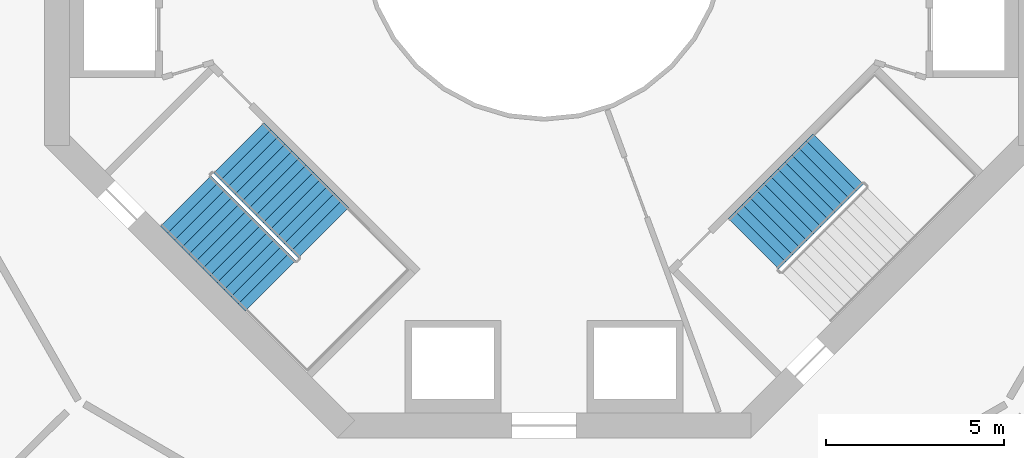
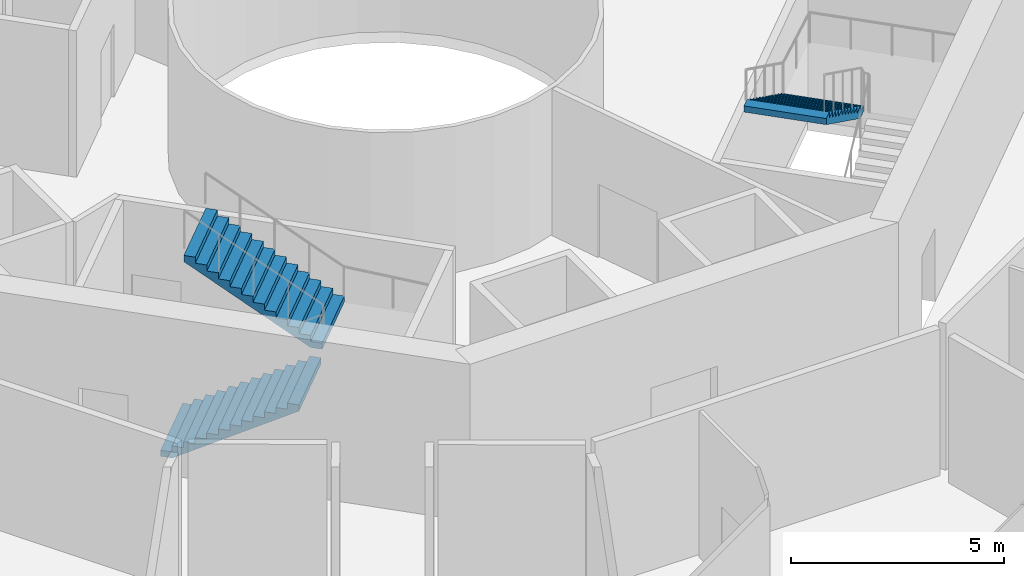
# One storey, part 14 of 16: 3 stair flights, 2 elements without a shape of their own.
"""IFC4 building model written with IfcOpenShell, lengths in metres."""

from ifc_helpers import new_model, si_unit, direction, frame, origin, place, context, subcontext, project, spatial, triangles, material, type_object, element, aggregate, save


model = new_model("IFC4")

# Units and contexts
model_context = context("Model", 3, precision=1e-05, world=origin(), true_north=direction((0.0, 1.0)))
body_context = subcontext(model_context, "Body", "Model", "MODEL_VIEW")
ifc_project = project(units=[si_unit("LENGTHUNIT", "METRE"), si_unit("AREAUNIT", "SQUARE_METRE"), si_unit("VOLUMEUNIT", "CUBIC_METRE"), si_unit("PLANEANGLEUNIT", "RADIAN"), si_unit("MASSUNIT", "GRAM", prefix="KILO")], contexts=[model_context])

# Site, building, storey
site_placement = place(None, origin())
site = spatial("IfcSite", under=ifc_project, at=site_placement, CompositionType="ELEMENT")
building_placement = place(site_placement, origin())
building = spatial("IfcBuilding", under=site, at=building_placement, Name="Verdalira Terraces Hotel", CompositionType="ELEMENT")
storey_placement = place(building_placement, frame((0.0, 0.0, 154.0)))
storey = spatial("IfcBuildingStorey", under=building, at=storey_placement, Name="L37", CompositionType="ELEMENT", Elevation=154.0)

# Stair, stair flights
ifc_material_1 = material(Name="Concrete C40", Category="concrete")
stair_type = type_object("IfcStairType", Name="Core stair 26 risers 2000 mm wide", PredefinedType="HALF_TURN_STAIR", material=ifc_material_1)
stair_1_placement = place(storey_placement, origin())
stair_1 = element("IfcStair", 1, at=stair_1_placement, inside=storey, type_object=stair_type, Name="L37 Exit stair ST2", PredefinedType="HALF_TURN_STAIR")
ifc_material_2 = material(Name="Concrete C40", Category="concrete")
stair_flight_type = type_object("IfcStairFlightType", Name="Core stair flight 26 risers 2000 mm wide", PredefinedType="STRAIGHT", material=ifc_material_2)
stair_flight_1_placement = place(storey_placement, frame((-10.041016, -7.354004, 0.0), z_axis=(0.0, 0.0, 1.0), x_axis=(0.707106781, -0.707106781, 0.0)))
stair_flight_1 = element("IfcStairFlight", 2, at=stair_flight_1_placement, type_object=stair_flight_type, Name="ST2 flight 1", NumberOfRisers=13, NumberOfTreads=12, PredefinedType="STRAIGHT", RiserHeight=0.173076923, TreadLength=0.28, context=body_context, shape_type="Tessellation", body=[
    triangles([(0.0, 1.0, 0.0), (0.285156, 1.0, 0.0), (3.360107, 1.0, 1.900635), (0.0, -1.0, 0.0), (0.285156, -1.0, 0.0), (3.360107, -1.0, 1.900635), (3.360107, 1.0, 2.076904), (3.080078, 1.0, 2.076904), (3.360107, -1.0, 2.076904), (3.080078, -1.0, 2.076904), (3.080078, 1.0, 1.903809), (3.080078, -1.0, 1.903809), (2.800049, 1.0, 1.903809), (2.800049, -1.0, 1.903809), (2.800049, 1.0, 1.730713), (2.800049, -1.0, 1.730713), (2.52002, 1.0, 1.730713), (2.52002, 1.0, 1.557617), (2.52002, -1.0, 1.730713), (2.52002, -1.0, 1.557617), (2.23999, 1.0, 1.557617), (2.23999, 1.0, 1.384521), (2.23999, -1.0, 1.557617), (2.23999, -1.0, 1.384521), (1.959961, 1.0, 1.384521), (1.959961, 1.0, 1.211426), (1.959961, -1.0, 1.384521), (1.959961, -1.0, 1.211426), (1.679932, 1.0, 1.211426), (1.679932, 1.0, 1.038574), (1.679932, -1.0, 1.211426), (1.679932, -1.0, 1.038574), (1.399902, 1.0, 1.038574), (1.399902, 1.0, 0.865479), (1.399902, -1.0, 1.038574), (1.399902, -1.0, 0.865479), (1.120117, 1.0, 0.865479), (1.120117, 1.0, 0.692383), (1.120117, -1.0, 0.865479), (1.120117, -1.0, 0.692383), (0.840088, 1.0, 0.692383), (0.840088, 1.0, 0.519287), (0.840088, -1.0, 0.692383), (0.840088, -1.0, 0.519287), (0.560059, 1.0, 0.519287), (0.560059, 1.0, 0.346191), (0.560059, -1.0, 0.519287), (0.560059, -1.0, 0.346191), (0.280029, 1.0, 0.346191), (0.280029, 1.0, 0.173096), (0.280029, -1.0, 0.346191), (0.280029, -1.0, 0.173096), (0.0, 1.0, 0.173096), (0.0, -1.0, 0.173096), (0.0, -0.9375, 0.0), (0.0, -0.9375, 0.173096), (0.0, -0.875, 0.0), (0.0, -0.875, 0.173096), (0.0, -0.8125, 0.0), (0.0, -0.8125, 0.173096), (0.0, -0.75, 0.0), (0.0, -0.75, 0.173096), (0.0, -0.6875, 0.0), (0.0, -0.6875, 0.173096), (0.0, -0.625, 0.0), (0.0, -0.625, 0.173096), (0.0, -0.5625, 0.0), (0.0, -0.5625, 0.173096), (0.0, -0.5, 0.0), (0.0, -0.5, 0.173096), (0.0, -0.4375, 0.0), (0.0, -0.4375, 0.173096), (0.0, -0.375, 0.0), (0.0, -0.375, 0.173096), (0.0, -0.3125, 0.0), (0.0, -0.3125, 0.173096), (0.0, -0.25, 0.0), (0.0, -0.25, 0.173096), (0.0, -0.1875, 0.0), (0.0, -0.1875, 0.173096), (0.0, -0.125, 0.0), (0.0, -0.125, 0.173096), (0.0, -0.0625, 0.0), (0.0, -0.0625, 0.173096), (0.0, 0.0, 0.0), (0.0, 0.0, 0.173096), (0.0, 0.0625, 0.0), (0.0, 0.0625, 0.173096), (0.0, 0.125, 0.0), (0.0, 0.125, 0.173096), (0.0, 0.1875, 0.0), (0.0, 0.1875, 0.173096), (0.0, 0.25, 0.0), (0.0, 0.25, 0.173096), (0.0, 0.3125, 0.0), (0.0, 0.3125, 0.173096), (0.0, 0.375, 0.0), (0.0, 0.375, 0.173096), (0.0, 0.4375, 0.0), (0.0, 0.4375, 0.173096), (0.0, 0.5, 0.0), (0.0, 0.5, 0.173096), (0.0, 0.5625, 0.0), (0.0, 0.5625, 0.173096), (0.0, 0.625, 0.0), (0.0, 0.625, 0.173096), (0.0, 0.6875, 0.0), (0.0, 0.6875, 0.173096), (0.0, 0.75, 0.0), (0.0, 0.75, 0.173096), (0.0, 0.8125, 0.0), (0.0, 0.8125, 0.173096), (0.0, 0.875, 0.0), (0.0, 0.875, 0.173096), (0.0, 0.9375, 0.0), (0.0, 0.9375, 0.173096), (3.360107, -0.9375, 2.076904), (3.360107, -0.875, 2.076904), (3.360107, -0.8125, 2.076904), (3.360107, -0.75, 2.076904), (3.360107, -0.6875, 2.076904), (3.360107, -0.625, 2.076904), (3.360107, -0.5625, 2.076904), (3.360107, -0.5, 2.076904), (3.360107, -0.4375, 2.076904), (3.360107, -0.375, 2.076904), (3.360107, -0.3125, 2.076904), (3.360107, -0.25, 2.076904), (3.360107, -0.1875, 2.076904), (3.360107, -0.125, 2.076904), (3.360107, -0.0625, 2.076904), (3.360107, 0.0, 2.076904), (3.360107, 0.0625, 2.076904), (3.360107, 0.125, 2.076904), (3.360107, 0.1875, 2.076904), (3.360107, 0.25, 2.076904), (3.360107, 0.3125, 2.076904), (3.360107, 0.375, 2.076904), (3.360107, 0.4375, 2.076904), (3.360107, 0.5, 2.076904), (3.360107, 0.5625, 2.076904), (3.360107, 0.625, 2.076904), (3.360107, 0.6875, 2.076904), (3.360107, 0.75, 2.076904), (3.360107, 0.8125, 2.076904), (3.360107, 0.875, 2.076904), (3.360107, 0.9375, 2.076904), (3.360107, -0.9375, 1.900635), (3.360107, -0.875, 1.900635), (3.360107, -0.8125, 1.900635), (3.360107, -0.75, 1.900635), (3.360107, -0.6875, 1.900635), (3.360107, -0.625, 1.900635), (3.360107, -0.5625, 1.900635), (3.360107, -0.5, 1.900635), (3.360107, -0.4375, 1.900635), (3.360107, -0.375, 1.900635), (3.360107, -0.3125, 1.900635), (3.360107, -0.25, 1.900635), (3.360107, -0.1875, 1.900635), (3.360107, -0.125, 1.900635), (3.360107, -0.0625, 1.900635), (3.360107, 0.0, 1.900635), (3.360107, 0.0625, 1.900635), (3.360107, 0.125, 1.900635), (3.360107, 0.1875, 1.900635), (3.360107, 0.25, 1.900635), (3.360107, 0.3125, 1.900635), (3.360107, 0.375, 1.900635), (3.360107, 0.4375, 1.900635), (3.360107, 0.5, 1.900635), (3.360107, 0.5625, 1.900635), (3.360107, 0.625, 1.900635), (3.360107, 0.6875, 1.900635), (3.360107, 0.75, 1.900635), (3.360107, 0.8125, 1.900635), (3.360107, 0.875, 1.900635), (3.360107, 0.9375, 1.900635)], [[1, 3, 2], [4, 5, 6], [3, 8, 7], [6, 9, 10], [3, 11, 8], [6, 10, 12], [3, 13, 11], [6, 12, 14], [3, 15, 13], [6, 14, 16], [15, 18, 17], [16, 19, 20], [3, 18, 15], [6, 16, 20], [18, 22, 21], [20, 23, 24], [3, 22, 18], [6, 20, 24], [22, 26, 25], [24, 27, 28], [3, 26, 22], [6, 24, 28], [1, 26, 3], [4, 6, 28], [26, 30, 29], [28, 31, 32], [30, 34, 33], [32, 35, 36], [26, 34, 30], [28, 32, 36], [34, 38, 37], [36, 39, 40], [26, 38, 34], [28, 36, 40], [38, 42, 41], [40, 43, 44], [26, 42, 38], [28, 40, 44], [42, 46, 45], [44, 47, 48], [26, 46, 42], [28, 44, 48], [46, 50, 49], [48, 51, 52], [26, 50, 46], [28, 48, 52], [1, 50, 26], [4, 28, 52], [50, 1, 53], [52, 54, 4], [4, 56, 55], [4, 54, 56], [55, 58, 57], [55, 56, 58], [57, 60, 59], [57, 58, 60], [59, 62, 61], [59, 60, 62], [61, 64, 63], [61, 62, 64], [63, 66, 65], [63, 64, 66], [65, 68, 67], [65, 66, 68], [67, 70, 69], [67, 68, 70], [69, 72, 71], [69, 70, 72], [71, 74, 73], [71, 72, 74], [73, 76, 75], [73, 74, 76], [75, 78, 77], [75, 76, 78], [77, 80, 79], [77, 78, 80], [79, 82, 81], [79, 80, 82], [81, 84, 83], [81, 82, 84], [83, 86, 85], [83, 84, 86], [85, 88, 87], [85, 86, 88], [87, 90, 89], [87, 88, 90], [89, 92, 91], [89, 90, 92], [91, 94, 93], [91, 92, 94], [93, 96, 95], [93, 94, 96], [95, 98, 97], [95, 96, 98], [97, 100, 99], [97, 98, 100], [99, 102, 101], [99, 100, 102], [101, 104, 103], [101, 102, 104], [103, 106, 105], [103, 104, 106], [105, 108, 107], [105, 106, 108], [107, 110, 109], [107, 108, 110], [109, 112, 111], [109, 110, 112], [111, 114, 113], [111, 112, 114], [113, 116, 115], [113, 114, 116], [115, 53, 1], [115, 116, 53], [54, 52, 56], [56, 52, 58], [58, 52, 60], [60, 52, 62], [62, 52, 64], [64, 52, 66], [66, 52, 68], [68, 52, 70], [70, 52, 72], [72, 52, 74], [74, 52, 76], [76, 52, 78], [78, 52, 80], [80, 52, 82], [82, 52, 84], [84, 52, 86], [86, 52, 88], [88, 52, 90], [90, 52, 92], [92, 52, 94], [94, 52, 96], [96, 52, 98], [98, 52, 100], [100, 52, 102], [102, 52, 104], [104, 52, 106], [106, 52, 108], [108, 52, 110], [110, 52, 112], [112, 52, 114], [114, 52, 116], [116, 52, 53], [53, 52, 50], [52, 49, 50], [52, 51, 49], [51, 46, 49], [51, 48, 46], [48, 45, 46], [48, 47, 45], [47, 42, 45], [47, 44, 42], [44, 41, 42], [44, 43, 41], [43, 38, 41], [43, 40, 38], [40, 37, 38], [40, 39, 37], [39, 34, 37], [39, 36, 34], [36, 33, 34], [36, 35, 33], [35, 30, 33], [35, 32, 30], [32, 29, 30], [32, 31, 29], [31, 26, 29], [31, 28, 26], [28, 25, 26], [28, 27, 25], [27, 22, 25], [27, 24, 22], [24, 21, 22], [24, 23, 21], [23, 18, 21], [23, 20, 18], [20, 17, 18], [20, 19, 17], [19, 15, 17], [19, 16, 15], [16, 13, 15], [16, 14, 13], [14, 11, 13], [14, 12, 11], [12, 8, 11], [12, 10, 8], [9, 117, 10], [117, 118, 10], [118, 119, 10], [119, 120, 10], [120, 121, 10], [121, 122, 10], [122, 123, 10], [123, 124, 10], [124, 125, 10], [125, 126, 10], [126, 127, 10], [127, 128, 10], [128, 129, 10], [129, 130, 10], [130, 131, 10], [131, 132, 10], [132, 133, 10], [133, 134, 10], [134, 135, 10], [135, 136, 10], [136, 137, 10], [137, 138, 10], [138, 139, 10], [139, 140, 10], [140, 141, 10], [141, 142, 10], [142, 143, 10], [143, 144, 10], [144, 145, 10], [145, 146, 10], [146, 147, 10], [147, 7, 10], [7, 8, 10], [9, 148, 117], [9, 6, 148], [117, 149, 118], [117, 148, 149], [118, 150, 119], [118, 149, 150], [119, 151, 120], [119, 150, 151], [120, 152, 121], [120, 151, 152], [121, 153, 122], [121, 152, 153], [122, 154, 123], [122, 153, 154], [123, 155, 124], [123, 154, 155], [124, 156, 125], [124, 155, 156], [125, 157, 126], [125, 156, 157], [126, 158, 127], [126, 157, 158], [127, 159, 128], [127, 158, 159], [128, 160, 129], [128, 159, 160], [129, 161, 130], [129, 160, 161], [130, 162, 131], [130, 161, 162], [131, 163, 132], [131, 162, 163], [132, 164, 133], [132, 163, 164], [133, 165, 134], [133, 164, 165], [134, 166, 135], [134, 165, 166], [135, 167, 136], [135, 166, 167], [136, 168, 137], [136, 167, 168], [137, 169, 138], [137, 168, 169], [138, 170, 139], [138, 169, 170], [139, 171, 140], [139, 170, 171], [140, 172, 141], [140, 171, 172], [141, 173, 142], [141, 172, 173], [142, 174, 143], [142, 173, 174], [143, 175, 144], [143, 174, 175], [144, 176, 145], [144, 175, 176], [145, 177, 146], [145, 176, 177], [146, 178, 147], [146, 177, 178], [147, 3, 7], [147, 178, 3], [6, 5, 148], [148, 5, 149], [149, 5, 150], [150, 5, 151], [151, 5, 152], [152, 5, 153], [153, 5, 154], [154, 5, 155], [155, 5, 156], [156, 5, 157], [157, 5, 158], [158, 5, 159], [159, 5, 160], [160, 5, 161], [161, 5, 162], [162, 5, 163], [163, 5, 164], [164, 5, 165], [165, 5, 166], [166, 5, 167], [167, 5, 168], [168, 5, 169], [169, 5, 170], [170, 5, 171], [171, 5, 172], [172, 5, 173], [173, 5, 174], [174, 5, 175], [175, 5, 176], [176, 5, 177], [177, 5, 178], [178, 5, 3], [3, 5, 2], [4, 55, 5], [55, 57, 5], [57, 59, 5], [59, 61, 5], [61, 63, 5], [63, 65, 5], [65, 67, 5], [67, 69, 5], [69, 71, 5], [71, 73, 5], [73, 75, 5], [75, 77, 5], [77, 79, 5], [79, 81, 5], [81, 83, 5], [83, 85, 5], [85, 87, 5], [87, 89, 5], [89, 91, 5], [91, 93, 5], [93, 95, 5], [95, 97, 5], [97, 99, 5], [99, 101, 5], [101, 103, 5], [103, 105, 5], [105, 107, 5], [107, 109, 5], [109, 111, 5], [111, 113, 5], [113, 115, 5], [115, 1, 5], [1, 2, 5]], closed=True),
])
stair_flight_2_placement = place(storey_placement, frame((-6.180176, -8.244873, 2.25), z_axis=(0.0, 0.0, 1.0), x_axis=(-0.707106781, 0.707106781, 0.0)))
stair_flight_2 = element("IfcStairFlight", 3, at=stair_flight_2_placement, type_object=stair_flight_type, Name="ST2 flight 2", NumberOfRisers=13, NumberOfTreads=12, PredefinedType="STRAIGHT", RiserHeight=0.173076923, TreadLength=0.28, context=body_context, shape_type="Tessellation", body=[
    triangles([(0.0, 1.0, 0.0), (0.285156, 1.0, 0.0), (3.360107, 1.0, 1.900635), (0.0, -1.0, 0.0), (0.285156, -1.0, 0.0), (3.360107, -1.0, 1.900635), (3.360107, 1.0, 2.076904), (3.080078, 1.0, 2.076904), (3.360107, -1.0, 2.076904), (3.080078, -1.0, 2.076904), (3.080078, 1.0, 1.903809), (3.080078, -1.0, 1.903809), (2.800049, 1.0, 1.903809), (2.800049, -1.0, 1.903809), (2.800049, 1.0, 1.730713), (2.800049, -1.0, 1.730713), (2.52002, 1.0, 1.730713), (2.52002, 1.0, 1.557617), (2.52002, -1.0, 1.730713), (2.52002, -1.0, 1.557617), (2.23999, 1.0, 1.557617), (2.23999, 1.0, 1.384521), (2.23999, -1.0, 1.557617), (2.23999, -1.0, 1.384521), (1.959961, 1.0, 1.384521), (1.959961, 1.0, 1.211426), (1.959961, -1.0, 1.384521), (1.959961, -1.0, 1.211426), (1.679932, 1.0, 1.211426), (1.679932, 1.0, 1.038574), (1.679932, -1.0, 1.211426), (1.679932, -1.0, 1.038574), (1.399902, 1.0, 1.038574), (1.399902, 1.0, 0.865479), (1.399902, -1.0, 1.038574), (1.399902, -1.0, 0.865479), (1.120117, 1.0, 0.865479), (1.120117, 1.0, 0.692383), (1.120117, -1.0, 0.865479), (1.120117, -1.0, 0.692383), (0.840088, 1.0, 0.692383), (0.840088, 1.0, 0.519287), (0.840088, -1.0, 0.692383), (0.840088, -1.0, 0.519287), (0.560059, 1.0, 0.519287), (0.560059, 1.0, 0.346191), (0.560059, -1.0, 0.519287), (0.560059, -1.0, 0.346191), (0.280029, 1.0, 0.346191), (0.280029, 1.0, 0.173096), (0.280029, -1.0, 0.346191), (0.280029, -1.0, 0.173096), (0.0, 1.0, 0.173096), (0.0, -1.0, 0.173096), (0.0, -0.9375, 0.0), (0.0, -0.9375, 0.173096), (0.0, -0.875, 0.0), (0.0, -0.875, 0.173096), (0.0, -0.8125, 0.0), (0.0, -0.8125, 0.173096), (0.0, -0.75, 0.0), (0.0, -0.75, 0.173096), (0.0, -0.6875, 0.0), (0.0, -0.6875, 0.173096), (0.0, -0.625, 0.0), (0.0, -0.625, 0.173096), (0.0, -0.5625, 0.0), (0.0, -0.5625, 0.173096), (0.0, -0.5, 0.0), (0.0, -0.5, 0.173096), (0.0, -0.4375, 0.0), (0.0, -0.4375, 0.173096), (0.0, -0.375, 0.0), (0.0, -0.375, 0.173096), (0.0, -0.3125, 0.0), (0.0, -0.3125, 0.173096), (0.0, -0.25, 0.0), (0.0, -0.25, 0.173096), (0.0, -0.1875, 0.0), (0.0, -0.1875, 0.173096), (0.0, -0.125, 0.0), (0.0, -0.125, 0.173096), (0.0, -0.0625, 0.0), (0.0, -0.0625, 0.173096), (0.0, 0.0, 0.0), (0.0, 0.0, 0.173096), (0.0, 0.0625, 0.0), (0.0, 0.0625, 0.173096), (0.0, 0.125, 0.0), (0.0, 0.125, 0.173096), (0.0, 0.1875, 0.0), (0.0, 0.1875, 0.173096), (0.0, 0.25, 0.0), (0.0, 0.25, 0.173096), (0.0, 0.3125, 0.0), (0.0, 0.3125, 0.173096), (0.0, 0.375, 0.0), (0.0, 0.375, 0.173096), (0.0, 0.4375, 0.0), (0.0, 0.4375, 0.173096), (0.0, 0.5, 0.0), (0.0, 0.5, 0.173096), (0.0, 0.5625, 0.0), (0.0, 0.5625, 0.173096), (0.0, 0.625, 0.0), (0.0, 0.625, 0.173096), (0.0, 0.6875, 0.0), (0.0, 0.6875, 0.173096), (0.0, 0.75, 0.0), (0.0, 0.75, 0.173096), (0.0, 0.8125, 0.0), (0.0, 0.8125, 0.173096), (0.0, 0.875, 0.0), (0.0, 0.875, 0.173096), (0.0, 0.9375, 0.0), (0.0, 0.9375, 0.173096), (3.360107, -0.9375, 2.076904), (3.360107, -0.875, 2.076904), (3.360107, -0.8125, 2.076904), (3.360107, -0.75, 2.076904), (3.360107, -0.6875, 2.076904), (3.360107, -0.625, 2.076904), (3.360107, -0.5625, 2.076904), (3.360107, -0.5, 2.076904), (3.360107, -0.4375, 2.076904), (3.360107, -0.375, 2.076904), (3.360107, -0.3125, 2.076904), (3.360107, -0.25, 2.076904), (3.360107, -0.1875, 2.076904), (3.360107, -0.125, 2.076904), (3.360107, -0.0625, 2.076904), (3.360107, 0.0, 2.076904), (3.360107, 0.0625, 2.076904), (3.360107, 0.125, 2.076904), (3.360107, 0.1875, 2.076904), (3.360107, 0.25, 2.076904), (3.360107, 0.3125, 2.076904), (3.360107, 0.375, 2.076904), (3.360107, 0.4375, 2.076904), (3.360107, 0.5, 2.076904), (3.360107, 0.5625, 2.076904), (3.360107, 0.625, 2.076904), (3.360107, 0.6875, 2.076904), (3.360107, 0.75, 2.076904), (3.360107, 0.8125, 2.076904), (3.360107, 0.875, 2.076904), (3.360107, 0.9375, 2.076904), (3.360107, -0.9375, 1.900635), (3.360107, -0.875, 1.900635), (3.360107, -0.8125, 1.900635), (3.360107, -0.75, 1.900635), (3.360107, -0.6875, 1.900635), (3.360107, -0.625, 1.900635), (3.360107, -0.5625, 1.900635), (3.360107, -0.5, 1.900635), (3.360107, -0.4375, 1.900635), (3.360107, -0.375, 1.900635), (3.360107, -0.3125, 1.900635), (3.360107, -0.25, 1.900635), (3.360107, -0.1875, 1.900635), (3.360107, -0.125, 1.900635), (3.360107, -0.0625, 1.900635), (3.360107, 0.0, 1.900635), (3.360107, 0.0625, 1.900635), (3.360107, 0.125, 1.900635), (3.360107, 0.1875, 1.900635), (3.360107, 0.25, 1.900635), (3.360107, 0.3125, 1.900635), (3.360107, 0.375, 1.900635), (3.360107, 0.4375, 1.900635), (3.360107, 0.5, 1.900635), (3.360107, 0.5625, 1.900635), (3.360107, 0.625, 1.900635), (3.360107, 0.6875, 1.900635), (3.360107, 0.75, 1.900635), (3.360107, 0.8125, 1.900635), (3.360107, 0.875, 1.900635), (3.360107, 0.9375, 1.900635)], [[1, 3, 2], [4, 5, 6], [3, 8, 7], [6, 9, 10], [3, 11, 8], [6, 10, 12], [3, 13, 11], [6, 12, 14], [3, 15, 13], [6, 14, 16], [15, 18, 17], [16, 19, 20], [3, 18, 15], [6, 16, 20], [18, 22, 21], [20, 23, 24], [3, 22, 18], [6, 20, 24], [22, 26, 25], [24, 27, 28], [3, 26, 22], [6, 24, 28], [1, 26, 3], [4, 6, 28], [26, 30, 29], [28, 31, 32], [30, 34, 33], [32, 35, 36], [26, 34, 30], [28, 32, 36], [34, 38, 37], [36, 39, 40], [26, 38, 34], [28, 36, 40], [38, 42, 41], [40, 43, 44], [26, 42, 38], [28, 40, 44], [42, 46, 45], [44, 47, 48], [26, 46, 42], [28, 44, 48], [46, 50, 49], [48, 51, 52], [26, 50, 46], [28, 48, 52], [1, 50, 26], [4, 28, 52], [50, 1, 53], [52, 54, 4], [4, 56, 55], [4, 54, 56], [55, 58, 57], [55, 56, 58], [57, 60, 59], [57, 58, 60], [59, 62, 61], [59, 60, 62], [61, 64, 63], [61, 62, 64], [63, 66, 65], [63, 64, 66], [65, 68, 67], [65, 66, 68], [67, 70, 69], [67, 68, 70], [69, 72, 71], [69, 70, 72], [71, 74, 73], [71, 72, 74], [73, 76, 75], [73, 74, 76], [75, 78, 77], [75, 76, 78], [77, 80, 79], [77, 78, 80], [79, 82, 81], [79, 80, 82], [81, 84, 83], [81, 82, 84], [83, 86, 85], [83, 84, 86], [85, 88, 87], [85, 86, 88], [87, 90, 89], [87, 88, 90], [89, 92, 91], [89, 90, 92], [91, 94, 93], [91, 92, 94], [93, 96, 95], [93, 94, 96], [95, 98, 97], [95, 96, 98], [97, 100, 99], [97, 98, 100], [99, 102, 101], [99, 100, 102], [101, 104, 103], [101, 102, 104], [103, 106, 105], [103, 104, 106], [105, 108, 107], [105, 106, 108], [107, 110, 109], [107, 108, 110], [109, 112, 111], [109, 110, 112], [111, 114, 113], [111, 112, 114], [113, 116, 115], [113, 114, 116], [115, 53, 1], [115, 116, 53], [54, 52, 56], [56, 52, 58], [58, 52, 60], [60, 52, 62], [62, 52, 64], [64, 52, 66], [66, 52, 68], [68, 52, 70], [70, 52, 72], [72, 52, 74], [74, 52, 76], [76, 52, 78], [78, 52, 80], [80, 52, 82], [82, 52, 84], [84, 52, 86], [86, 52, 88], [88, 52, 90], [90, 52, 92], [92, 52, 94], [94, 52, 96], [96, 52, 98], [98, 52, 100], [100, 52, 102], [102, 52, 104], [104, 52, 106], [106, 52, 108], [108, 52, 110], [110, 52, 112], [112, 52, 114], [114, 52, 116], [116, 52, 53], [53, 52, 50], [52, 49, 50], [52, 51, 49], [51, 46, 49], [51, 48, 46], [48, 45, 46], [48, 47, 45], [47, 42, 45], [47, 44, 42], [44, 41, 42], [44, 43, 41], [43, 38, 41], [43, 40, 38], [40, 37, 38], [40, 39, 37], [39, 34, 37], [39, 36, 34], [36, 33, 34], [36, 35, 33], [35, 30, 33], [35, 32, 30], [32, 29, 30], [32, 31, 29], [31, 26, 29], [31, 28, 26], [28, 25, 26], [28, 27, 25], [27, 22, 25], [27, 24, 22], [24, 21, 22], [24, 23, 21], [23, 18, 21], [23, 20, 18], [20, 17, 18], [20, 19, 17], [19, 15, 17], [19, 16, 15], [16, 13, 15], [16, 14, 13], [14, 11, 13], [14, 12, 11], [12, 8, 11], [12, 10, 8], [9, 117, 10], [117, 118, 10], [118, 119, 10], [119, 120, 10], [120, 121, 10], [121, 122, 10], [122, 123, 10], [123, 124, 10], [124, 125, 10], [125, 126, 10], [126, 127, 10], [127, 128, 10], [128, 129, 10], [129, 130, 10], [130, 131, 10], [131, 132, 10], [132, 133, 10], [133, 134, 10], [134, 135, 10], [135, 136, 10], [136, 137, 10], [137, 138, 10], [138, 139, 10], [139, 140, 10], [140, 141, 10], [141, 142, 10], [142, 143, 10], [143, 144, 10], [144, 145, 10], [145, 146, 10], [146, 147, 10], [147, 7, 10], [7, 8, 10], [9, 148, 117], [9, 6, 148], [117, 149, 118], [117, 148, 149], [118, 150, 119], [118, 149, 150], [119, 151, 120], [119, 150, 151], [120, 152, 121], [120, 151, 152], [121, 153, 122], [121, 152, 153], [122, 154, 123], [122, 153, 154], [123, 155, 124], [123, 154, 155], [124, 156, 125], [124, 155, 156], [125, 157, 126], [125, 156, 157], [126, 158, 127], [126, 157, 158], [127, 159, 128], [127, 158, 159], [128, 160, 129], [128, 159, 160], [129, 161, 130], [129, 160, 161], [130, 162, 131], [130, 161, 162], [131, 163, 132], [131, 162, 163], [132, 164, 133], [132, 163, 164], [133, 165, 134], [133, 164, 165], [134, 166, 135], [134, 165, 166], [135, 167, 136], [135, 166, 167], [136, 168, 137], [136, 167, 168], [137, 169, 138], [137, 168, 169], [138, 170, 139], [138, 169, 170], [139, 171, 140], [139, 170, 171], [140, 172, 141], [140, 171, 172], [141, 173, 142], [141, 172, 173], [142, 174, 143], [142, 173, 174], [143, 175, 144], [143, 174, 175], [144, 176, 145], [144, 175, 176], [145, 177, 146], [145, 176, 177], [146, 178, 147], [146, 177, 178], [147, 3, 7], [147, 178, 3], [6, 5, 148], [148, 5, 149], [149, 5, 150], [150, 5, 151], [151, 5, 152], [152, 5, 153], [153, 5, 154], [154, 5, 155], [155, 5, 156], [156, 5, 157], [157, 5, 158], [158, 5, 159], [159, 5, 160], [160, 5, 161], [161, 5, 162], [162, 5, 163], [163, 5, 164], [164, 5, 165], [165, 5, 166], [166, 5, 167], [167, 5, 168], [168, 5, 169], [169, 5, 170], [170, 5, 171], [171, 5, 172], [172, 5, 173], [173, 5, 174], [174, 5, 175], [175, 5, 176], [176, 5, 177], [177, 5, 178], [178, 5, 3], [3, 5, 2], [4, 55, 5], [55, 57, 5], [57, 59, 5], [59, 61, 5], [61, 63, 5], [63, 65, 5], [65, 67, 5], [67, 69, 5], [69, 71, 5], [71, 73, 5], [73, 75, 5], [75, 77, 5], [77, 79, 5], [79, 81, 5], [81, 83, 5], [83, 85, 5], [85, 87, 5], [87, 89, 5], [89, 91, 5], [91, 93, 5], [93, 95, 5], [95, 97, 5], [97, 99, 5], [99, 101, 5], [101, 103, 5], [103, 105, 5], [105, 107, 5], [107, 109, 5], [109, 111, 5], [111, 113, 5], [113, 115, 5], [115, 1, 5], [1, 2, 5]], closed=True),
])
aggregate(stair_1, [stair_flight_1, stair_flight_2])

# Stair, stair flight
stair_2_placement = place(storey_placement, origin())
stair_2 = element("IfcStair", 4, at=stair_2_placement, inside=storey, type_object=stair_type, Name="L37 Exit stair ST3", PredefinedType="HALF_TURN_STAIR")
stair_flight_3_placement = place(storey_placement, frame((8.244873, -6.180176, 2.25), z_axis=(0.0, 0.0, 1.0), x_axis=(-0.707106781, -0.707106781, 0.0)))
stair_flight_3 = element("IfcStairFlight", 5, at=stair_flight_3_placement, type_object=stair_flight_type, Name="ST3 flight 2", NumberOfRisers=13, NumberOfTreads=12, PredefinedType="STRAIGHT", RiserHeight=0.173076923, TreadLength=0.28, context=body_context, shape_type="Tessellation", body=[
    triangles([(0.0, 1.0, 0.0), (0.285156, 1.0, 0.0), (3.360107, 1.0, 1.900635), (0.0, -1.0, 0.0), (0.285156, -1.0, 0.0), (3.360107, -1.0, 1.900635), (3.360107, 1.0, 2.076904), (3.080078, 1.0, 2.076904), (3.360107, -1.0, 2.076904), (3.080078, -1.0, 2.076904), (3.080078, 1.0, 1.903809), (3.080078, -1.0, 1.903809), (2.800049, 1.0, 1.903809), (2.800049, -1.0, 1.903809), (2.800049, 1.0, 1.730713), (2.800049, -1.0, 1.730713), (2.52002, 1.0, 1.730713), (2.52002, 1.0, 1.557617), (2.52002, -1.0, 1.730713), (2.52002, -1.0, 1.557617), (2.23999, 1.0, 1.557617), (2.23999, 1.0, 1.384521), (2.23999, -1.0, 1.557617), (2.23999, -1.0, 1.384521), (1.959961, 1.0, 1.384521), (1.959961, 1.0, 1.211426), (1.959961, -1.0, 1.384521), (1.959961, -1.0, 1.211426), (1.679932, 1.0, 1.211426), (1.679932, 1.0, 1.038574), (1.679932, -1.0, 1.211426), (1.679932, -1.0, 1.038574), (1.399902, 1.0, 1.038574), (1.399902, 1.0, 0.865479), (1.399902, -1.0, 1.038574), (1.399902, -1.0, 0.865479), (1.120117, 1.0, 0.865479), (1.120117, 1.0, 0.692383), (1.120117, -1.0, 0.865479), (1.120117, -1.0, 0.692383), (0.840088, 1.0, 0.692383), (0.840088, 1.0, 0.519287), (0.840088, -1.0, 0.692383), (0.840088, -1.0, 0.519287), (0.560059, 1.0, 0.519287), (0.560059, 1.0, 0.346191), (0.560059, -1.0, 0.519287), (0.560059, -1.0, 0.346191), (0.280029, 1.0, 0.346191), (0.280029, 1.0, 0.173096), (0.280029, -1.0, 0.346191), (0.280029, -1.0, 0.173096), (0.0, 1.0, 0.173096), (0.0, -1.0, 0.173096), (0.0, -0.9375, 0.0), (0.0, -0.9375, 0.173096), (0.0, -0.875, 0.0), (0.0, -0.875, 0.173096), (0.0, -0.8125, 0.0), (0.0, -0.8125, 0.173096), (0.0, -0.75, 0.0), (0.0, -0.75, 0.173096), (0.0, -0.6875, 0.0), (0.0, -0.6875, 0.173096), (0.0, -0.625, 0.0), (0.0, -0.625, 0.173096), (0.0, -0.5625, 0.0), (0.0, -0.5625, 0.173096), (0.0, -0.5, 0.0), (0.0, -0.5, 0.173096), (0.0, -0.4375, 0.0), (0.0, -0.4375, 0.173096), (0.0, -0.375, 0.0), (0.0, -0.375, 0.173096), (0.0, -0.3125, 0.0), (0.0, -0.3125, 0.173096), (0.0, -0.25, 0.0), (0.0, -0.25, 0.173096), (0.0, -0.1875, 0.0), (0.0, -0.1875, 0.173096), (0.0, -0.125, 0.0), (0.0, -0.125, 0.173096), (0.0, -0.0625, 0.0), (0.0, -0.0625, 0.173096), (0.0, 0.0, 0.0), (0.0, 0.0, 0.173096), (0.0, 0.0625, 0.0), (0.0, 0.0625, 0.173096), (0.0, 0.125, 0.0), (0.0, 0.125, 0.173096), (0.0, 0.1875, 0.0), (0.0, 0.1875, 0.173096), (0.0, 0.25, 0.0), (0.0, 0.25, 0.173096), (0.0, 0.3125, 0.0), (0.0, 0.3125, 0.173096), (0.0, 0.375, 0.0), (0.0, 0.375, 0.173096), (0.0, 0.4375, 0.0), (0.0, 0.4375, 0.173096), (0.0, 0.5, 0.0), (0.0, 0.5, 0.173096), (0.0, 0.5625, 0.0), (0.0, 0.5625, 0.173096), (0.0, 0.625, 0.0), (0.0, 0.625, 0.173096), (0.0, 0.6875, 0.0), (0.0, 0.6875, 0.173096), (0.0, 0.75, 0.0), (0.0, 0.75, 0.173096), (0.0, 0.8125, 0.0), (0.0, 0.8125, 0.173096), (0.0, 0.875, 0.0), (0.0, 0.875, 0.173096), (0.0, 0.9375, 0.0), (0.0, 0.9375, 0.173096), (3.360107, -0.9375, 2.076904), (3.360107, -0.875, 2.076904), (3.360107, -0.8125, 2.076904), (3.360107, -0.75, 2.076904), (3.360107, -0.6875, 2.076904), (3.360107, -0.625, 2.076904), (3.360107, -0.5625, 2.076904), (3.360107, -0.5, 2.076904), (3.360107, -0.4375, 2.076904), (3.360107, -0.375, 2.076904), (3.360107, -0.3125, 2.076904), (3.360107, -0.25, 2.076904), (3.360107, -0.1875, 2.076904), (3.360107, -0.125, 2.076904), (3.360107, -0.0625, 2.076904), (3.360107, 0.0, 2.076904), (3.360107, 0.0625, 2.076904), (3.360107, 0.125, 2.076904), (3.360107, 0.1875, 2.076904), (3.360107, 0.25, 2.076904), (3.360107, 0.3125, 2.076904), (3.360107, 0.375, 2.076904), (3.360107, 0.4375, 2.076904), (3.360107, 0.5, 2.076904), (3.360107, 0.5625, 2.076904), (3.360107, 0.625, 2.076904), (3.360107, 0.6875, 2.076904), (3.360107, 0.75, 2.076904), (3.360107, 0.8125, 2.076904), (3.360107, 0.875, 2.076904), (3.360107, 0.9375, 2.076904), (3.360107, -0.9375, 1.900635), (3.360107, -0.875, 1.900635), (3.360107, -0.8125, 1.900635), (3.360107, -0.75, 1.900635), (3.360107, -0.6875, 1.900635), (3.360107, -0.625, 1.900635), (3.360107, -0.5625, 1.900635), (3.360107, -0.5, 1.900635), (3.360107, -0.4375, 1.900635), (3.360107, -0.375, 1.900635), (3.360107, -0.3125, 1.900635), (3.360107, -0.25, 1.900635), (3.360107, -0.1875, 1.900635), (3.360107, -0.125, 1.900635), (3.360107, -0.0625, 1.900635), (3.360107, 0.0, 1.900635), (3.360107, 0.0625, 1.900635), (3.360107, 0.125, 1.900635), (3.360107, 0.1875, 1.900635), (3.360107, 0.25, 1.900635), (3.360107, 0.3125, 1.900635), (3.360107, 0.375, 1.900635), (3.360107, 0.4375, 1.900635), (3.360107, 0.5, 1.900635), (3.360107, 0.5625, 1.900635), (3.360107, 0.625, 1.900635), (3.360107, 0.6875, 1.900635), (3.360107, 0.75, 1.900635), (3.360107, 0.8125, 1.900635), (3.360107, 0.875, 1.900635), (3.360107, 0.9375, 1.900635)], [[1, 3, 2], [4, 5, 6], [3, 8, 7], [6, 9, 10], [3, 11, 8], [6, 10, 12], [3, 13, 11], [6, 12, 14], [3, 15, 13], [6, 14, 16], [15, 18, 17], [16, 19, 20], [3, 18, 15], [6, 16, 20], [18, 22, 21], [20, 23, 24], [3, 22, 18], [6, 20, 24], [22, 26, 25], [24, 27, 28], [3, 26, 22], [6, 24, 28], [1, 26, 3], [4, 6, 28], [26, 30, 29], [28, 31, 32], [30, 34, 33], [32, 35, 36], [26, 34, 30], [28, 32, 36], [34, 38, 37], [36, 39, 40], [26, 38, 34], [28, 36, 40], [38, 42, 41], [40, 43, 44], [26, 42, 38], [28, 40, 44], [42, 46, 45], [44, 47, 48], [26, 46, 42], [28, 44, 48], [46, 50, 49], [48, 51, 52], [26, 50, 46], [28, 48, 52], [1, 50, 26], [4, 28, 52], [50, 1, 53], [52, 54, 4], [4, 56, 55], [4, 54, 56], [55, 58, 57], [55, 56, 58], [57, 60, 59], [57, 58, 60], [59, 62, 61], [59, 60, 62], [61, 64, 63], [61, 62, 64], [63, 66, 65], [63, 64, 66], [65, 68, 67], [65, 66, 68], [67, 70, 69], [67, 68, 70], [69, 72, 71], [69, 70, 72], [71, 74, 73], [71, 72, 74], [73, 76, 75], [73, 74, 76], [75, 78, 77], [75, 76, 78], [77, 80, 79], [77, 78, 80], [79, 82, 81], [79, 80, 82], [81, 84, 83], [81, 82, 84], [83, 86, 85], [83, 84, 86], [85, 88, 87], [85, 86, 88], [87, 90, 89], [87, 88, 90], [89, 92, 91], [89, 90, 92], [91, 94, 93], [91, 92, 94], [93, 96, 95], [93, 94, 96], [95, 98, 97], [95, 96, 98], [97, 100, 99], [97, 98, 100], [99, 102, 101], [99, 100, 102], [101, 104, 103], [101, 102, 104], [103, 106, 105], [103, 104, 106], [105, 108, 107], [105, 106, 108], [107, 110, 109], [107, 108, 110], [109, 112, 111], [109, 110, 112], [111, 114, 113], [111, 112, 114], [113, 116, 115], [113, 114, 116], [115, 53, 1], [115, 116, 53], [54, 52, 56], [56, 52, 58], [58, 52, 60], [60, 52, 62], [62, 52, 64], [64, 52, 66], [66, 52, 68], [68, 52, 70], [70, 52, 72], [72, 52, 74], [74, 52, 76], [76, 52, 78], [78, 52, 80], [80, 52, 82], [82, 52, 84], [84, 52, 86], [86, 52, 88], [88, 52, 90], [90, 52, 92], [92, 52, 94], [94, 52, 96], [96, 52, 98], [98, 52, 100], [100, 52, 102], [102, 52, 104], [104, 52, 106], [106, 52, 108], [108, 52, 110], [110, 52, 112], [112, 52, 114], [114, 52, 116], [116, 52, 53], [53, 52, 50], [52, 49, 50], [52, 51, 49], [51, 46, 49], [51, 48, 46], [48, 45, 46], [48, 47, 45], [47, 42, 45], [47, 44, 42], [44, 41, 42], [44, 43, 41], [43, 38, 41], [43, 40, 38], [40, 37, 38], [40, 39, 37], [39, 34, 37], [39, 36, 34], [36, 33, 34], [36, 35, 33], [35, 30, 33], [35, 32, 30], [32, 29, 30], [32, 31, 29], [31, 26, 29], [31, 28, 26], [28, 25, 26], [28, 27, 25], [27, 22, 25], [27, 24, 22], [24, 21, 22], [24, 23, 21], [23, 18, 21], [23, 20, 18], [20, 17, 18], [20, 19, 17], [19, 15, 17], [19, 16, 15], [16, 13, 15], [16, 14, 13], [14, 11, 13], [14, 12, 11], [12, 8, 11], [12, 10, 8], [9, 117, 10], [117, 118, 10], [118, 119, 10], [119, 120, 10], [120, 121, 10], [121, 122, 10], [122, 123, 10], [123, 124, 10], [124, 125, 10], [125, 126, 10], [126, 127, 10], [127, 128, 10], [128, 129, 10], [129, 130, 10], [130, 131, 10], [131, 132, 10], [132, 133, 10], [133, 134, 10], [134, 135, 10], [135, 136, 10], [136, 137, 10], [137, 138, 10], [138, 139, 10], [139, 140, 10], [140, 141, 10], [141, 142, 10], [142, 143, 10], [143, 144, 10], [144, 145, 10], [145, 146, 10], [146, 147, 10], [147, 7, 10], [7, 8, 10], [9, 148, 117], [9, 6, 148], [117, 149, 118], [117, 148, 149], [118, 150, 119], [118, 149, 150], [119, 151, 120], [119, 150, 151], [120, 152, 121], [120, 151, 152], [121, 153, 122], [121, 152, 153], [122, 154, 123], [122, 153, 154], [123, 155, 124], [123, 154, 155], [124, 156, 125], [124, 155, 156], [125, 157, 126], [125, 156, 157], [126, 158, 127], [126, 157, 158], [127, 159, 128], [127, 158, 159], [128, 160, 129], [128, 159, 160], [129, 161, 130], [129, 160, 161], [130, 162, 131], [130, 161, 162], [131, 163, 132], [131, 162, 163], [132, 164, 133], [132, 163, 164], [133, 165, 134], [133, 164, 165], [134, 166, 135], [134, 165, 166], [135, 167, 136], [135, 166, 167], [136, 168, 137], [136, 167, 168], [137, 169, 138], [137, 168, 169], [138, 170, 139], [138, 169, 170], [139, 171, 140], [139, 170, 171], [140, 172, 141], [140, 171, 172], [141, 173, 142], [141, 172, 173], [142, 174, 143], [142, 173, 174], [143, 175, 144], [143, 174, 175], [144, 176, 145], [144, 175, 176], [145, 177, 146], [145, 176, 177], [146, 178, 147], [146, 177, 178], [147, 3, 7], [147, 178, 3], [6, 5, 148], [148, 5, 149], [149, 5, 150], [150, 5, 151], [151, 5, 152], [152, 5, 153], [153, 5, 154], [154, 5, 155], [155, 5, 156], [156, 5, 157], [157, 5, 158], [158, 5, 159], [159, 5, 160], [160, 5, 161], [161, 5, 162], [162, 5, 163], [163, 5, 164], [164, 5, 165], [165, 5, 166], [166, 5, 167], [167, 5, 168], [168, 5, 169], [169, 5, 170], [170, 5, 171], [171, 5, 172], [172, 5, 173], [173, 5, 174], [174, 5, 175], [175, 5, 176], [176, 5, 177], [177, 5, 178], [178, 5, 3], [3, 5, 2], [4, 55, 5], [55, 57, 5], [57, 59, 5], [59, 61, 5], [61, 63, 5], [63, 65, 5], [65, 67, 5], [67, 69, 5], [69, 71, 5], [71, 73, 5], [73, 75, 5], [75, 77, 5], [77, 79, 5], [79, 81, 5], [81, 83, 5], [83, 85, 5], [85, 87, 5], [87, 89, 5], [89, 91, 5], [91, 93, 5], [93, 95, 5], [95, 97, 5], [97, 99, 5], [99, 101, 5], [101, 103, 5], [103, 105, 5], [105, 107, 5], [107, 109, 5], [109, 111, 5], [111, 113, 5], [113, 115, 5], [115, 1, 5], [1, 2, 5]], closed=True),
])
aggregate(stair_2, [stair_flight_3])

save(model, "model.ifc")
